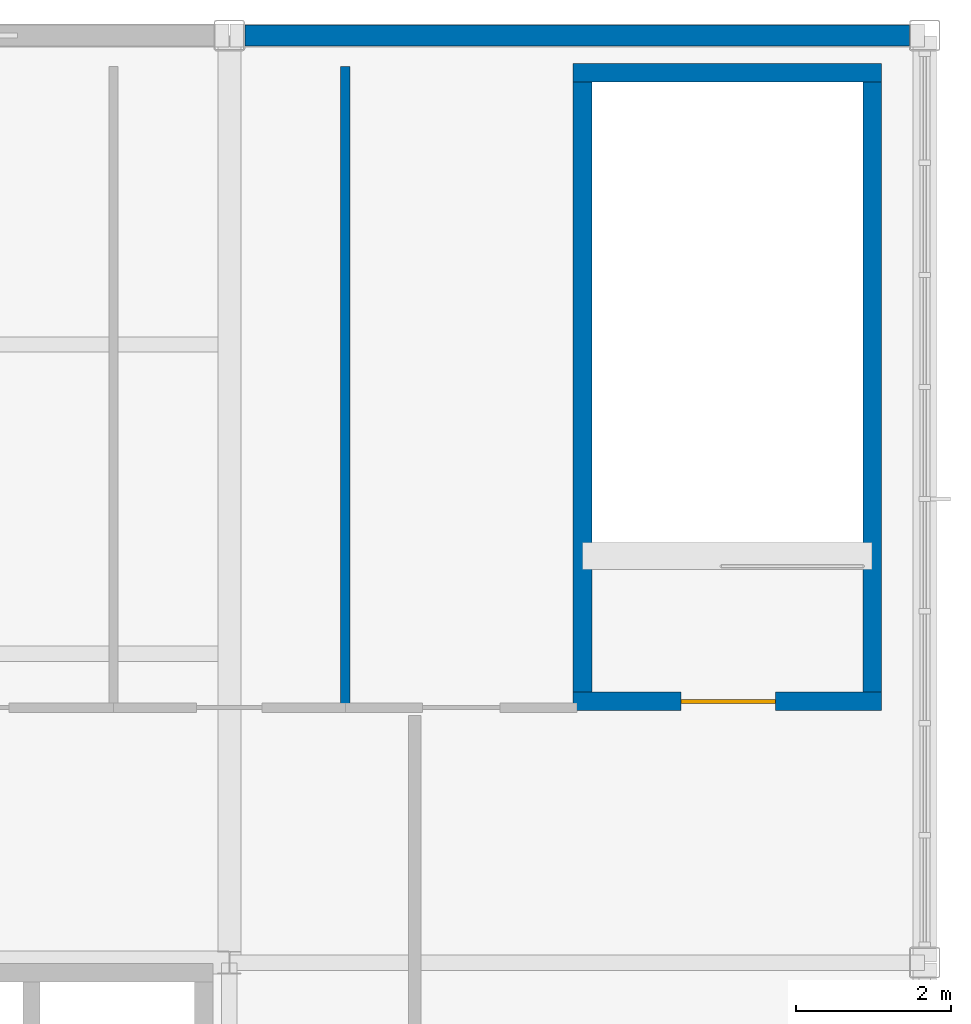
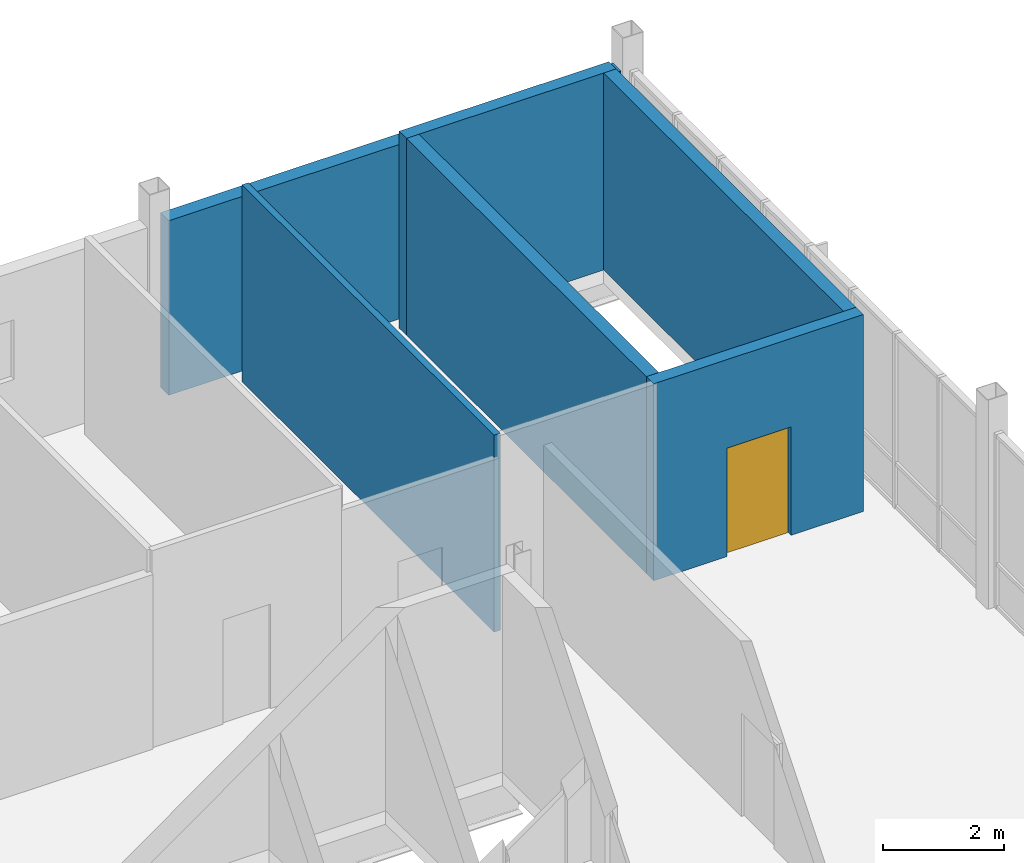
# One storey, part 14 of 15: 6 walls, 1 door, 1 opening.
"""IFC4 building model written with IfcOpenShell, lengths in metres."""

from ifc_helpers import new_model, si_unit, direction, frame, frame_2d, origin, place, context, subcontext, project, spatial, rectangle, extrude, material, layer, layer_set, type_object, element, fill, save


model = new_model("IFC4")

# Units and contexts
model_context = context("Model", 3, precision=1e-05, world=origin(), true_north=direction((0.0, 1.0)))
body_context = subcontext(model_context, "Body", "Model", "MODEL_VIEW")
ifc_project = project(units=[si_unit("LENGTHUNIT", "METRE"), si_unit("AREAUNIT", "SQUARE_METRE"), si_unit("VOLUMEUNIT", "CUBIC_METRE"), si_unit("PLANEANGLEUNIT", "RADIAN"), si_unit("MASSUNIT", "GRAM", prefix="KILO")], contexts=[model_context])

# Site, building, storey
site_placement = place(None, origin())
site = spatial("IfcSite", under=ifc_project, at=site_placement, CompositionType="ELEMENT")
building_placement = place(site_placement, origin())
building = spatial("IfcBuilding", under=site, at=building_placement, Name="Yukiwa Park Conservatory and Herbarium", CompositionType="ELEMENT")
storey_placement = place(building_placement, frame((0.0, 0.0, 61.199951171875)))
storey = spatial("IfcBuildingStorey", under=building, at=storey_placement, Name="L16", CompositionType="ELEMENT", Elevation=61.199951171875)

# Wall, opening, door
ifc_material_1 = material(Name="Concrete C50", Category="concrete")
ifc_layer_1 = layer(ifc_material_1, 0.239990234375)
ifc_layer_set_1 = layer_set([ifc_layer_1], Name="Concrete C50")
wall_type_1 = type_object("IfcWallType", Name="WL-CORE-RC240", PredefinedType="SHEAR", material=ifc_layer_set_1)
wall_1_placement = place(storey_placement, frame((163.449951171875, 106.580078125, 0.0), z_axis=(0.0, 0.0, 1.0), x_axis=(1.0, 0.0, 0.0)))
wall_1 = element("IfcWall", 1, at=wall_1_placement, inside=storey, type_object=wall_type_1, Name="L16 core shear wall 884", PredefinedType="SHEAR", context=body_context, shape_type="SweptSolid", body=[
    extrude(rectangle(XDim=3.989990234375, YDim=0.239990234375, at=frame_2d((1.9951171875, 0.0))), origin(), (0.0, 0.0, 1.0), 3.9599609375),
])
opening_placement = place(wall_1_placement, frame((1.39501953125, 0.0, 0.0)))
opening = element("IfcOpeningElement", 2, at=opening_placement, cuts=wall_1, Name="Opening SD-01", PredefinedType="OPENING", context=body_context, shape_type="SweptSolid", body=[
    extrude(rectangle(XDim=1.219970703125, YDim=2.179931640625, at=frame_2d((0.60986328125, 1.08984375))), frame((0.0, 0.1298828125, 0.0), z_axis=(0.0, -1.0, 0.0), x_axis=(1.0, 0.0, 0.0)), (0.0, 0.0, 1.0), 0.260009765625),
])
ifc_material_2 = material(Name="Steel Q235B", Category="steel")
door_type = type_object("IfcDoorType", Name="DR-STAIR-FD90-1200", OperationType="SINGLE_SWING_LEFT", PredefinedType="DOOR", material=ifc_material_2)
door_placement = place(opening_placement, origin())
door = element("IfcDoor", 3, at=door_placement, inside=storey, type_object=door_type, Name="L16 Stairwell ST-T3 fire door", OperationType="SINGLE_SWING_LEFT", OverallHeight=2.179931640625, OverallWidth=1.219970703125, PredefinedType="DOOR", context=body_context, shape_type="SweptSolid", body=[
    extrude(rectangle(XDim=1.219970703125, YDim=2.179931640625, at=frame_2d((0.60986328125, 1.08984375))), frame((0.0, 0.02490234375, 0.0), z_axis=(0.0, -1.0, 0.0), x_axis=(1.0, 0.0, 0.0)), (0.0, 0.0, 1.0), 0.050048828125),
])
fill(opening, door)

# Walls
wall_2_placement = place(storey_placement, frame((163.449951171875, 114.719970703125, 0.0), z_axis=(0.0, 0.0, 1.0), x_axis=(1.0, 0.0, 0.0)))
element("IfcWall", 4, at=wall_2_placement, inside=storey, type_object=wall_type_1, Name="L16 core shear wall 885", PredefinedType="SHEAR", context=body_context, shape_type="SweptSolid", body=[
    extrude(rectangle(XDim=3.989990234375, YDim=0.239990234375, at=frame_2d((1.9951171875, 0.0))), origin(), (0.0, 0.0, 1.0), 3.9599609375),
])
for number, where, z_axis, x_axis, name in (
    (5, (163.570068359375, 106.699951171875, 0.0), (0.0, 0.0, 1.0), (0.0, 1.0, 0.0), "L16 core shear wall 886"),
    (6, (167.320068359375, 106.699951171875, 0.0), (0.0, 0.0, 1.0), (0.0, 1.0, 0.0), "L16 core shear wall 887"),
):
    element("IfcWall", number, at=place(storey_placement, frame(where, z_axis=z_axis, x_axis=x_axis)), inside=storey, type_object=wall_type_1, Name=name, PredefinedType="SHEAR", context=body_context, shape_type="SweptSolid", body=[
        extrude(rectangle(XDim=7.900146484375, YDim=0.239990234375, at=frame_2d((3.9501953125, 0.0))), origin(), (0.0, 0.0, 1.0), 3.9599609375),
    ])
ifc_material_3 = material(Name="Anodised Aluminium", Category="aluminium")
ifc_layer_2 = layer(ifc_material_3, 0.27001953125)
ifc_layer_set_2 = layer_set([ifc_layer_2], Name="Anodised Aluminium")
wall_type_2 = type_object("IfcWallType", Name="WL-EXT-CROWN-270", PredefinedType="SOLIDWALL", material=ifc_layer_set_2)
wall_3_placement = place(storey_placement, frame((167.800048828125, 115.199951171875, 0.0), z_axis=(0.0, 0.0, 1.0), x_axis=(-1.0, 0.0, 0.0)))
element("IfcWall", 7, at=wall_3_placement, inside=storey, type_object=wall_type_2, Name="L16 exterior envelope wall 403", PredefinedType="SOLIDWALL", context=body_context, shape_type="SweptSolid", body=[
    extrude(rectangle(XDim=8.60009765625, YDim=0.27001953125, at=frame_2d((4.300048828125, 0.0))), origin(), (0.0, 0.0, 1.0), 3.510009765625),
])
ifc_material_4 = material(Name="Gypsum Board Partition", Category="gypsum")
ifc_layer_3 = layer(ifc_material_4, 0.1201171875)
ifc_layer_set_3 = layer_set([ifc_layer_3], Name="Gypsum Board Partition")
wall_type_3 = type_object("IfcWallType", Name="WL-PART-WET-150", PredefinedType="PARTITIONING", material=ifc_layer_set_3)
wall_4_placement = place(storey_placement, frame((160.5, 106.5, 0.0), z_axis=(0.0, 0.0, 1.0), x_axis=(0.0, 1.0, 0.0)))
element("IfcWall", 8, at=wall_4_placement, inside=storey, type_object=wall_type_3, Name="L16 interior partition wall 893", PredefinedType="PARTITIONING", context=body_context, shape_type="SweptSolid", body=[
    extrude(rectangle(XDim=8.300048828125, YDim=0.1201171875, at=frame_2d((4.14990234375, 0.0))), origin(), (0.0, 0.0, 1.0), 3.9599609375),
])

save(model, "model.ifc")
